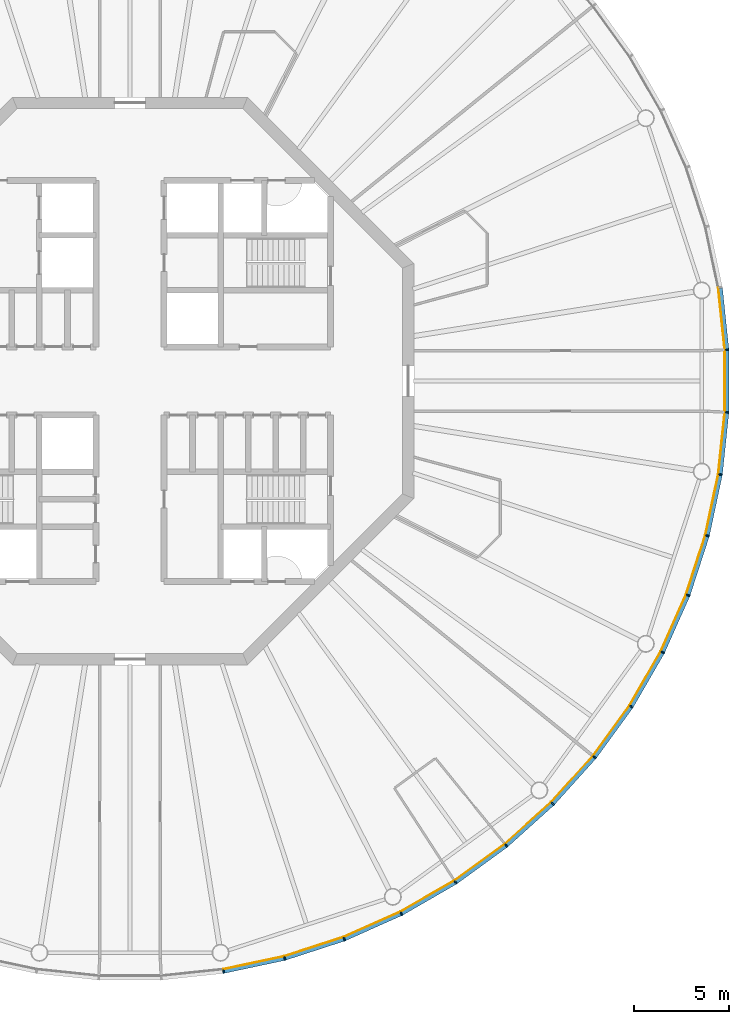
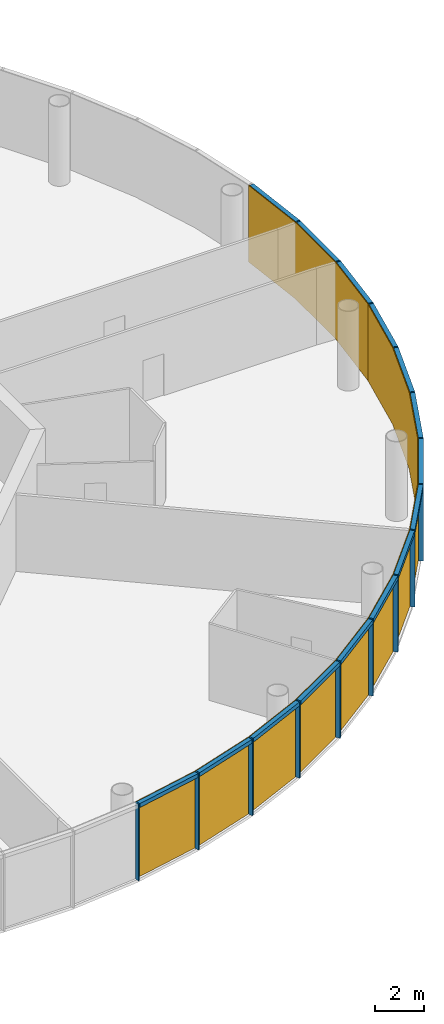
# One storey, part 9 of 13: 30 members, 5 curtain walls.
"""IFC4 building model written with IfcOpenShell, lengths in metres."""

from ifc_helpers import new_model, si_unit, direction, frame, origin, origin_2d, place, context, subcontext, project, spatial, polyline, rectangle, outline, extrude, material, layer, layer_set, material_profile, profile_set, type_object, element, aggregate, save


model = new_model("IFC4")

# Units and contexts
model_context = context("Model", 3, precision=1e-05, world=origin(), true_north=direction((0.0, 1.0)))
body_context = subcontext(model_context, "Body", "Model", "MODEL_VIEW")
ifc_project = project(units=[si_unit("LENGTHUNIT", "METRE"), si_unit("AREAUNIT", "SQUARE_METRE"), si_unit("VOLUMEUNIT", "CUBIC_METRE"), si_unit("PLANEANGLEUNIT", "RADIAN"), si_unit("MASSUNIT", "GRAM", prefix="KILO")], contexts=[model_context])

# Member
ifc_material_1 = material(Name="Anodised aluminium", Category="aluminium")
ifc_material_profile_1 = material_profile(ifc_material_1, rectangle(XDim=0.070068359375, YDim=0.205078125, at=origin_2d()), Name="Mullion 70 x 205 mm anodised aluminium")
ifc_profile_set_1 = profile_set([ifc_material_profile_1], Name="Anodised aluminium")
member_type_1 = type_object("IfcMemberType", Name="Mullion 70 x 205 mm anodised aluminium", PredefinedType="MULLION", material=ifc_profile_set_1)
site_placement = place(None, origin())
building_placement = place(site_placement, origin())
storey_placement = place(building_placement, frame((0.0, 0.0, 340.0)))
member_1_placement = place(storey_placement, frame((94.943603515625, 48.78662109375, 0.0), z_axis=(0.0, 0.0, 1.0), x_axis=(0.987688340595, 0.15643446504, 0.0)))
member_1 = element("IfcMember", 1, at=member_1_placement, type_object=member_type_1, Name="MULLION L78-45", PredefinedType="MULLION", context=body_context, shape_type="SweptSolid", body=[
    extrude(rectangle(XDim=0.070068359375, YDim=0.205078125, at=origin_2d()), origin(), (0.0, 0.0, 1.0), 3.85009765625),
])

member_2_placement = place(storey_placement, frame((98.179443359375, 49.474365234375, 0.0), z_axis=(0.0, 0.0, 1.0), x_axis=(0.965925826289, 0.258819045103, 0.0)))
member_2 = element("IfcMember", 2, at=member_2_placement, type_object=member_type_1, Name="MULLION L78-46", PredefinedType="MULLION", context=body_context, shape_type="SweptSolid", body=[
    extrude(rectangle(XDim=0.070068359375, YDim=0.205078125, at=origin_2d()), origin(), (0.0, 0.0, 1.0), 3.85009765625),
])

member_3_placement = place(storey_placement, frame((101.325439453125, 50.49658203125, 0.0), z_axis=(0.0, 0.0, 1.0), x_axis=(0.933580426497, 0.358367949545, 0.0)))
member_3 = element("IfcMember", 3, at=member_3_placement, type_object=member_type_1, Name="MULLION L78-47", PredefinedType="MULLION", context=body_context, shape_type="SweptSolid", body=[
    extrude(rectangle(XDim=0.070068359375, YDim=0.205078125, at=origin_2d()), origin(), (0.0, 0.0, 1.0), 3.85009765625),
])

member_4_placement = place(storey_placement, frame((104.34716796875, 51.842041015625, 0.0), z_axis=(0.0, 0.0, 1.0), x_axis=(0.891006524188, 0.45399049974, 0.0)))
member_4 = element("IfcMember", 4, at=member_4_placement, type_object=member_type_1, Name="MULLION L78-48", PredefinedType="MULLION", context=body_context, shape_type="SweptSolid", body=[
    extrude(rectangle(XDim=0.070068359375, YDim=0.205078125, at=origin_2d()), origin(), (0.0, 0.0, 1.0), 3.85009765625),
])

member_5_placement = place(storey_placement, frame((107.2119140625, 53.495849609375, 0.0), z_axis=(0.0, 0.0, 1.0), x_axis=(0.838670567945, 0.544639035015, 0.0)))
member_5 = element("IfcMember", 5, at=member_5_placement, type_object=member_type_1, Name="MULLION L78-49", PredefinedType="MULLION", context=body_context, shape_type="SweptSolid", body=[
    extrude(rectangle(XDim=0.070068359375, YDim=0.205078125, at=origin_2d()), origin(), (0.0, 0.0, 1.0), 3.85009765625),
])

member_6_placement = place(storey_placement, frame((109.88818359375, 55.440185546875, 0.0), z_axis=(0.0, 0.0, 1.0), x_axis=(0.777145961457, 0.62932039105, 0.0)))
member_6 = element("IfcMember", 6, at=member_6_placement, type_object=member_type_1, Name="MULLION L78-50", PredefinedType="MULLION", context=body_context, shape_type="SweptSolid", body=[
    extrude(rectangle(XDim=0.070068359375, YDim=0.205078125, at=origin_2d()), origin(), (0.0, 0.0, 1.0), 3.85009765625),
])

member_7_placement = place(storey_placement, frame((112.346435546875, 57.653564453125, 0.0), z_axis=(0.0, 0.0, 1.0), x_axis=(0.707106781187, 0.707106781187, 0.0)))
member_7 = element("IfcMember", 7, at=member_7_placement, type_object=member_type_1, Name="MULLION L78-51", PredefinedType="MULLION", context=body_context, shape_type="SweptSolid", body=[
    extrude(rectangle(XDim=0.070068359375, YDim=0.205078125, at=origin_2d()), origin(), (0.0, 0.0, 1.0), 3.85009765625),
])

member_8_placement = place(storey_placement, frame((114.559814453125, 60.11181640625, 0.0), z_axis=(0.0, 0.0, 1.0), x_axis=(0.62932039105, 0.777145961457, 0.0)))
member_8 = element("IfcMember", 8, at=member_8_placement, type_object=member_type_1, Name="MULLION L78-52", PredefinedType="MULLION", context=body_context, shape_type="SweptSolid", body=[
    extrude(rectangle(XDim=0.070068359375, YDim=0.205078125, at=origin_2d()), origin(), (0.0, 0.0, 1.0), 3.85009765625),
])

member_9_placement = place(storey_placement, frame((116.504150390625, 62.7880859375, 0.0), z_axis=(0.0, 0.0, 1.0), x_axis=(0.544639035015, 0.838670567945, 0.0)))
member_9 = element("IfcMember", 9, at=member_9_placement, type_object=member_type_1, Name="MULLION L78-53", PredefinedType="MULLION", context=body_context, shape_type="SweptSolid", body=[
    extrude(rectangle(XDim=0.070068359375, YDim=0.205078125, at=origin_2d()), origin(), (0.0, 0.0, 1.0), 3.85009765625),
])

member_10_placement = place(storey_placement, frame((118.157958984375, 65.65283203125, 0.0), z_axis=(0.0, 0.0, 1.0), x_axis=(0.45399049974, 0.891006524188, 0.0)))
member_10 = element("IfcMember", 10, at=member_10_placement, type_object=member_type_1, Name="MULLION L78-54", PredefinedType="MULLION", context=body_context, shape_type="SweptSolid", body=[
    extrude(rectangle(XDim=0.070068359375, YDim=0.205078125, at=origin_2d()), origin(), (0.0, 0.0, 1.0), 3.85009765625),
])

member_11_placement = place(storey_placement, frame((119.50341796875, 68.674560546875, 0.0), z_axis=(0.0, 0.0, 1.0), x_axis=(0.358367949545, 0.933580426497, 0.0)))
member_11 = element("IfcMember", 11, at=member_11_placement, type_object=member_type_1, Name="MULLION L78-55", PredefinedType="MULLION", context=body_context, shape_type="SweptSolid", body=[
    extrude(rectangle(XDim=0.070068359375, YDim=0.205078125, at=origin_2d()), origin(), (0.0, 0.0, 1.0), 3.85009765625),
])

member_12_placement = place(storey_placement, frame((120.525634765625, 71.820556640625, 0.0), z_axis=(0.0, 0.0, 1.0), x_axis=(0.258819045103, 0.965925826289, 0.0)))
member_12 = element("IfcMember", 12, at=member_12_placement, type_object=member_type_1, Name="MULLION L78-56", PredefinedType="MULLION", context=body_context, shape_type="SweptSolid", body=[
    extrude(rectangle(XDim=0.070068359375, YDim=0.205078125, at=origin_2d()), origin(), (0.0, 0.0, 1.0), 3.85009765625),
])

member_13_placement = place(storey_placement, frame((121.21337890625, 75.056396484375, 0.0), z_axis=(0.0, 0.0, 1.0), x_axis=(0.15643446504, 0.987688340595, 0.0)))
member_13 = element("IfcMember", 13, at=member_13_placement, type_object=member_type_1, Name="MULLION L78-57", PredefinedType="MULLION", context=body_context, shape_type="SweptSolid", body=[
    extrude(rectangle(XDim=0.070068359375, YDim=0.205078125, at=origin_2d()), origin(), (0.0, 0.0, 1.0), 3.85009765625),
])

member_14_placement = place(storey_placement, frame((121.55908203125, 78.345947265625, 0.0), z_axis=(0.0, 0.0, 1.0), x_axis=(0.052335956243, 0.998629534755, 0.0)))
member_14 = element("IfcMember", 14, at=member_14_placement, type_object=member_type_1, Name="MULLION L78-58", PredefinedType="MULLION", context=body_context, shape_type="SweptSolid", body=[
    extrude(rectangle(XDim=0.070068359375, YDim=0.205078125, at=origin_2d()), origin(), (0.0, 0.0, 1.0), 3.85009765625),
])

member_15_placement = place(storey_placement, frame((121.55908203125, 81.654052734375, 0.0), z_axis=(0.0, 0.0, 1.0), x_axis=(-0.052335956243, 0.998629534755, 0.0)))
member_15 = element("IfcMember", 15, at=member_15_placement, type_object=member_type_1, Name="MULLION L78-59", PredefinedType="MULLION", context=body_context, shape_type="SweptSolid", body=[
    extrude(rectangle(XDim=0.070068359375, YDim=0.205078125, at=origin_2d()), origin(), (0.0, 0.0, 1.0), 3.85009765625),
])

ifc_material_2 = material(Name="Anodised aluminium", Category="aluminium")
ifc_material_profile_2 = material_profile(ifc_material_2, rectangle(XDim=0.205078125, YDim=0.195068359375, at=origin_2d()), Name="Transom 195 x 205 mm anodised aluminium")
ifc_profile_set_2 = profile_set([ifc_material_profile_2], Name="Anodised aluminium")
member_type_2 = type_object("IfcMemberType", Name="Transom 195 x 205 mm anodised aluminium", PredefinedType="USERDEFINED", material=ifc_profile_set_2)
member_16_placement = place(storey_placement, frame((94.983154296875, 48.794921875, 3.75244140625), z_axis=(0.978153082647, 0.207885898771, 0.0), x_axis=(-0.207885898771, 0.978153082647, 0.0)))
member_16 = element("IfcMember", 16, at=member_16_placement, type_object=member_type_2, Name="TRANSOM L78-45", ObjectType="TRANSOM", PredefinedType="USERDEFINED", context=body_context, shape_type="SweptSolid", body=[
    extrude(rectangle(XDim=0.205078125, YDim=0.195068359375, at=origin_2d()), origin(), (0.0, 0.0, 1.0), 3.227294921875),
])

member_17_placement = place(storey_placement, frame((98.2177734375, 49.486572265625, 3.75244140625), z_axis=(0.951046855117, 0.309046726844, 0.0), x_axis=(-0.309046726844, 0.951046855117, 0.0)))
member_17 = element("IfcMember", 17, at=member_17_placement, type_object=member_type_2, Name="TRANSOM L78-46", ObjectType="TRANSOM", PredefinedType="USERDEFINED", context=body_context, shape_type="SweptSolid", body=[
    extrude(rectangle(XDim=0.205078125, YDim=0.195068359375, at=origin_2d()), origin(), (0.0, 0.0, 1.0), 3.22705078125),
])

member_18_placement = place(storey_placement, frame((101.3623046875, 50.5126953125, 3.75244140625), z_axis=(0.913521178731, 0.406791170024, 0.0), x_axis=(-0.406791170024, 0.913521178731, 0.0)))
member_18 = element("IfcMember", 18, at=member_18_placement, type_object=member_type_2, Name="TRANSOM L78-47", ObjectType="TRANSOM", PredefinedType="USERDEFINED", context=body_context, shape_type="SweptSolid", body=[
    extrude(rectangle(XDim=0.205078125, YDim=0.195068359375, at=origin_2d()), origin(), (0.0, 0.0, 1.0), 3.22705078125),
])

member_19_placement = place(storey_placement, frame((104.38232421875, 51.862060546875, 3.75244140625), z_axis=(0.866023062494, 0.500004055213, 0.0), x_axis=(-0.500004055213, 0.866023062494, 0.0)))
member_19 = element("IfcMember", 19, at=member_19_placement, type_object=member_type_2, Name="TRANSOM L78-48", ObjectType="TRANSOM", PredefinedType="USERDEFINED", context=body_context, shape_type="SweptSolid", body=[
    extrude(rectangle(XDim=0.205078125, YDim=0.195068359375, at=origin_2d()), origin(), (0.0, 0.0, 1.0), 3.22705078125),
])

member_20_placement = place(storey_placement, frame((107.24462890625, 53.51953125, 3.75244140625), z_axis=(0.809004252048, 0.587802790201, 0.0), x_axis=(-0.587802790201, 0.809004252048, 0.0)))
member_20 = element("IfcMember", 20, at=member_20_placement, type_object=member_type_2, Name="TRANSOM L78-49", ObjectType="TRANSOM", PredefinedType="USERDEFINED", context=body_context, shape_type="SweptSolid", body=[
    extrude(rectangle(XDim=0.205078125, YDim=0.195068359375, at=origin_2d()), origin(), (0.0, 0.0, 1.0), 3.227294921875),
])

member_21_placement = place(storey_placement, frame((109.918212890625, 55.467041015625, 3.75244140625), z_axis=(0.743132370743, 0.669144438484, 0.0), x_axis=(-0.669144438484, 0.743132370743, 0.0)))
member_21 = element("IfcMember", 21, at=member_21_placement, type_object=member_type_2, Name="TRANSOM L78-50", ObjectType="TRANSOM", PredefinedType="USERDEFINED", context=body_context, shape_type="SweptSolid", body=[
    extrude(rectangle(XDim=0.205078125, YDim=0.195068359375, at=origin_2d()), origin(), (0.0, 0.0, 1.0), 3.22705078125),
])

member_22_placement = place(storey_placement, frame((112.37353515625, 57.68359375, 3.75244140625), z_axis=(0.669144438484, 0.743132370743, 0.0), x_axis=(-0.743132370743, 0.669144438484, 0.0)))
member_22 = element("IfcMember", 22, at=member_22_placement, type_object=member_type_2, Name="TRANSOM L78-51", ObjectType="TRANSOM", PredefinedType="USERDEFINED", context=body_context, shape_type="SweptSolid", body=[
    extrude(rectangle(XDim=0.205078125, YDim=0.195068359375, at=origin_2d()), origin(), (0.0, 0.0, 1.0), 3.22705078125),
])

member_23_placement = place(storey_placement, frame((114.58349609375, 60.14453125, 3.75244140625), z_axis=(0.587802790201, 0.809004252048, 0.0), x_axis=(-0.809004252048, 0.587802790201, 0.0)))
member_23 = element("IfcMember", 23, at=member_23_placement, type_object=member_type_2, Name="TRANSOM L78-52", ObjectType="TRANSOM", PredefinedType="USERDEFINED", context=body_context, shape_type="SweptSolid", body=[
    extrude(rectangle(XDim=0.205078125, YDim=0.195068359375, at=origin_2d()), origin(), (0.0, 0.0, 1.0), 3.227294921875),
])

member_24_placement = place(storey_placement, frame((116.5244140625, 62.822998046875, 3.75244140625), z_axis=(0.500004055213, 0.866023062494, 0.0), x_axis=(-0.866023062494, 0.500004055213, 0.0)))
member_24 = element("IfcMember", 24, at=member_24_placement, type_object=member_type_2, Name="TRANSOM L78-53", ObjectType="TRANSOM", PredefinedType="USERDEFINED", context=body_context, shape_type="SweptSolid", body=[
    extrude(rectangle(XDim=0.205078125, YDim=0.195068359375, at=origin_2d()), origin(), (0.0, 0.0, 1.0), 3.22705078125),
])

member_25_placement = place(storey_placement, frame((118.174560546875, 65.689697265625, 3.75244140625), z_axis=(0.406791170024, 0.913521178731, 0.0), x_axis=(-0.913521178731, 0.406791170024, 0.0)))
member_25 = element("IfcMember", 25, at=member_25_placement, type_object=member_type_2, Name="TRANSOM L78-54", ObjectType="TRANSOM", PredefinedType="USERDEFINED", context=body_context, shape_type="SweptSolid", body=[
    extrude(rectangle(XDim=0.205078125, YDim=0.195068359375, at=origin_2d()), origin(), (0.0, 0.0, 1.0), 3.22705078125),
])

member_26_placement = place(storey_placement, frame((119.51611328125, 68.713134765625, 3.75244140625), z_axis=(0.309046726844, 0.951046855117, 0.0), x_axis=(-0.951046855117, 0.309046726844, 0.0)))
member_26 = element("IfcMember", 26, at=member_26_placement, type_object=member_type_2, Name="TRANSOM L78-55", ObjectType="TRANSOM", PredefinedType="USERDEFINED", context=body_context, shape_type="SweptSolid", body=[
    extrude(rectangle(XDim=0.205078125, YDim=0.195068359375, at=origin_2d()), origin(), (0.0, 0.0, 1.0), 3.22705078125),
])

member_27_placement = place(storey_placement, frame((120.5341796875, 71.860107421875, 3.75244140625), z_axis=(0.207885898771, 0.978153082647, 0.0), x_axis=(-0.978153082647, 0.207885898771, 0.0)))
member_27 = element("IfcMember", 27, at=member_27_placement, type_object=member_type_2, Name="TRANSOM L78-56", ObjectType="TRANSOM", PredefinedType="USERDEFINED", context=body_context, shape_type="SweptSolid", body=[
    extrude(rectangle(XDim=0.205078125, YDim=0.195068359375, at=origin_2d()), origin(), (0.0, 0.0, 1.0), 3.227294921875),
])

member_28_placement = place(storey_placement, frame((121.2177734375, 75.096435546875, 3.75244140625), z_axis=(0.104550890115, 0.994519537956, 0.0), x_axis=(-0.994519537956, 0.104550890115, 0.0)))
member_28 = element("IfcMember", 28, at=member_28_placement, type_object=member_type_2, Name="TRANSOM L78-57", ObjectType="TRANSOM", PredefinedType="USERDEFINED", context=body_context, shape_type="SweptSolid", body=[
    extrude(rectangle(XDim=0.205078125, YDim=0.195068359375, at=origin_2d()), origin(), (0.0, 0.0, 1.0), 3.22705078125),
])

member_29_placement = place(storey_placement, frame((121.559326171875, 78.386474609375, 3.75244140625), z_axis=(0.0, 1.0, 0.0), x_axis=(-1.0, 0.0, 0.0)))
member_29 = element("IfcMember", 29, at=member_29_placement, type_object=member_type_2, Name="TRANSOM L78-58", ObjectType="TRANSOM", PredefinedType="USERDEFINED", context=body_context, shape_type="SweptSolid", body=[
    extrude(rectangle(XDim=0.205078125, YDim=0.195068359375, at=origin_2d()), origin(), (0.0, 0.0, 1.0), 3.22705078125),
])

member_30_placement = place(storey_placement, frame((121.55517578125, 81.694091796875, 3.75244140625), z_axis=(-0.104550890115, 0.994519537956, 0.0), x_axis=(-0.994519537956, -0.104550890115, 0.0)))
member_30 = element("IfcMember", 30, at=member_30_placement, type_object=member_type_2, Name="TRANSOM L78-59", ObjectType="TRANSOM", PredefinedType="USERDEFINED", context=body_context, shape_type="SweptSolid", body=[
    extrude(rectangle(XDim=0.205078125, YDim=0.195068359375, at=origin_2d()), origin(), (0.0, 0.0, 1.0), 3.22705078125),
])

# Site, building, storey
site = spatial("IfcSite", under=ifc_project, at=site_placement, CompositionType="ELEMENT")
building = spatial("IfcBuilding", under=site, at=building_placement, Name="Entoto Ring Tower", CompositionType="ELEMENT")
storey = spatial("IfcBuildingStorey", under=building, at=storey_placement, Name="L78", CompositionType="ELEMENT", Elevation=340.0)

# Curtain wall
ifc_material_3 = material(Name="Clear low-iron glass", Category="glass")
ifc_layer = layer(ifc_material_3, 0.035888671875)
ifc_layer_set = layer_set([ifc_layer], Name="Clear low-iron glass")
curtain_wall_type = type_object("IfcCurtainWallType", Name="Curtain wall system CW6 glazing 36 mm", PredefinedType="NOTDEFINED", material=ifc_layer_set)
curtain_wall_1_placement = place(storey_placement, origin())
curtain_wall_1 = element("IfcCurtainWall", 31, at=curtain_wall_1_placement, inside=storey, type_object=curtain_wall_type, Name="CW6 L78-16", PredefinedType="NOTDEFINED", context=body_context, shape_type="SweptSolid", body=[
    extrude(outline(polyline([(94.927734375, 48.8876953125), (98.15283203125, 49.5732421875), (101.28857421875, 50.59228515625), (104.30078125, 51.933349609375), (104.284423828125, 51.96533203125), (101.275634765625, 50.6259765625), (98.1435546875, 49.608154296875), (94.922119140625, 48.92333984375), (94.927734375, 48.8876953125)])), origin(), (0.0, 0.0, 1.0), 3.85009765625),
])

aggregate(curtain_wall_1, [member_1, member_2, member_3, member_16, member_17, member_18])

curtain_wall_2_placement = place(storey_placement, origin())
curtain_wall_2 = element("IfcCurtainWall", 32, at=curtain_wall_2_placement, inside=storey, type_object=curtain_wall_type, Name="CW6 L78-17", PredefinedType="NOTDEFINED", context=body_context, shape_type="SweptSolid", body=[
    extrude(outline(polyline([(104.30078125, 51.933349609375), (107.15625, 53.581787109375), (109.823486328125, 55.52001953125), (112.27392578125, 57.72607421875), (112.248291015625, 57.751708984375), (109.801025390625, 55.5478515625), (107.136474609375, 53.612060546875), (104.284423828125, 51.96533203125), (104.30078125, 51.933349609375)])), origin(), (0.0, 0.0, 1.0), 3.85009765625),
])

aggregate(curtain_wall_2, [member_4, member_5, member_6, member_19, member_20, member_21])

curtain_wall_3_placement = place(storey_placement, origin())
curtain_wall_3 = element("IfcCurtainWall", 33, at=curtain_wall_3_placement, inside=storey, type_object=curtain_wall_type, Name="CW6 L78-18", PredefinedType="NOTDEFINED", context=body_context, shape_type="SweptSolid", body=[
    extrude(outline(polyline([(112.27392578125, 57.72607421875), (114.47998046875, 60.176513671875), (116.418212890625, 62.84375), (118.066650390625, 65.69921875), (118.03466796875, 65.715576171875), (116.387939453125, 62.863525390625), (114.4521484375, 60.198974609375), (112.248291015625, 57.751708984375), (112.27392578125, 57.72607421875)])), origin(), (0.0, 0.0, 1.0), 3.85009765625),
])

aggregate(curtain_wall_3, [member_7, member_8, member_9, member_22, member_23, member_24])

curtain_wall_4_placement = place(storey_placement, origin())
curtain_wall_4 = element("IfcCurtainWall", 34, at=curtain_wall_4_placement, inside=storey, type_object=curtain_wall_type, Name="CW6 L78-19", PredefinedType="NOTDEFINED", context=body_context, shape_type="SweptSolid", body=[
    extrude(outline(polyline([(118.066650390625, 65.69921875), (119.40771484375, 68.71142578125), (120.4267578125, 71.84716796875), (121.1123046875, 75.072265625), (121.07666015625, 75.077880859375), (120.391845703125, 71.8564453125), (119.3740234375, 68.724365234375), (118.03466796875, 65.715576171875), (118.066650390625, 65.69921875)])), origin(), (0.0, 0.0, 1.0), 3.85009765625),
])

aggregate(curtain_wall_4, [member_10, member_11, member_12, member_25, member_26, member_27])

curtain_wall_5_placement = place(storey_placement, origin())
curtain_wall_5 = element("IfcCurtainWall", 35, at=curtain_wall_5_placement, inside=storey, type_object=curtain_wall_type, Name="CW6 L78-20", PredefinedType="NOTDEFINED", context=body_context, shape_type="SweptSolid", body=[
    extrude(outline(polyline([(121.1123046875, 75.072265625), (121.456787109375, 78.351318359375), (121.456787109375, 81.648681640625), (121.1123046875, 84.927734375), (121.07666015625, 84.922119140625), (121.4208984375, 81.646728515625), (121.4208984375, 78.353271484375), (121.07666015625, 75.077880859375), (121.1123046875, 75.072265625)])), origin(), (0.0, 0.0, 1.0), 3.85009765625),
])

aggregate(curtain_wall_5, [member_13, member_14, member_15, member_28, member_29, member_30])

save(model, "model.ifc")
